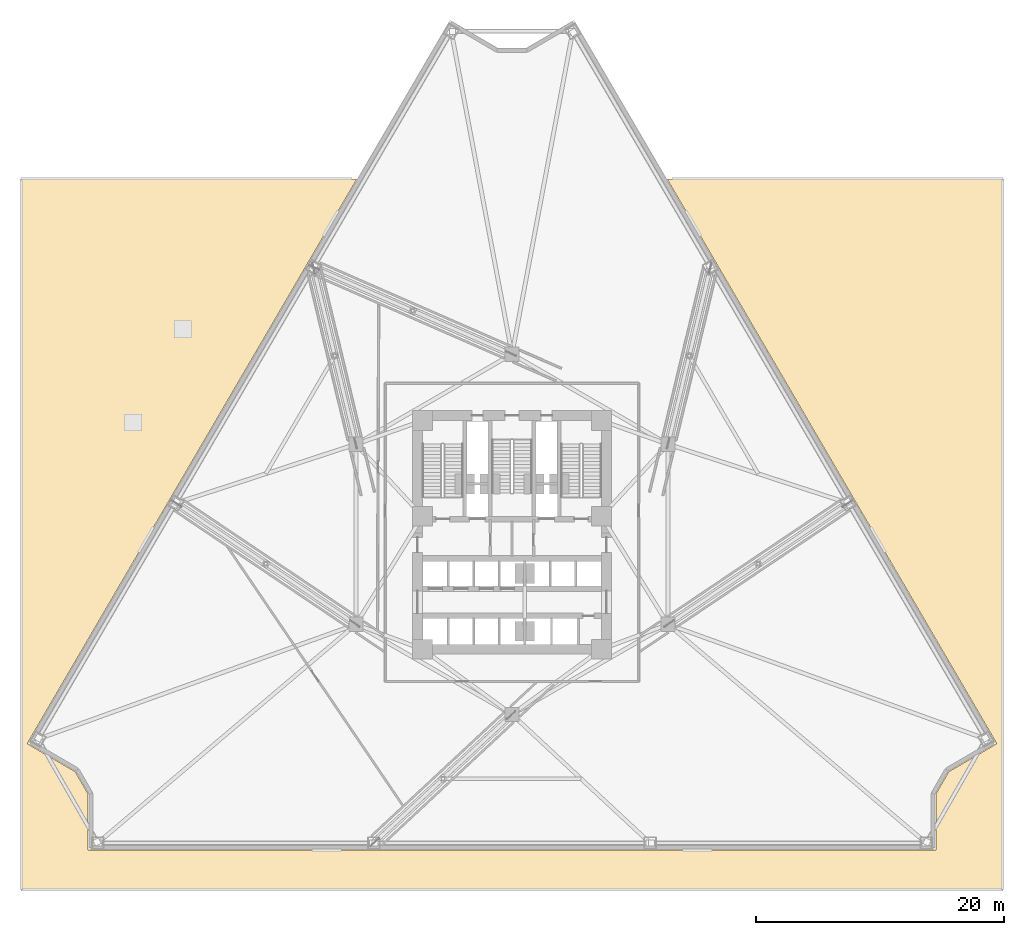
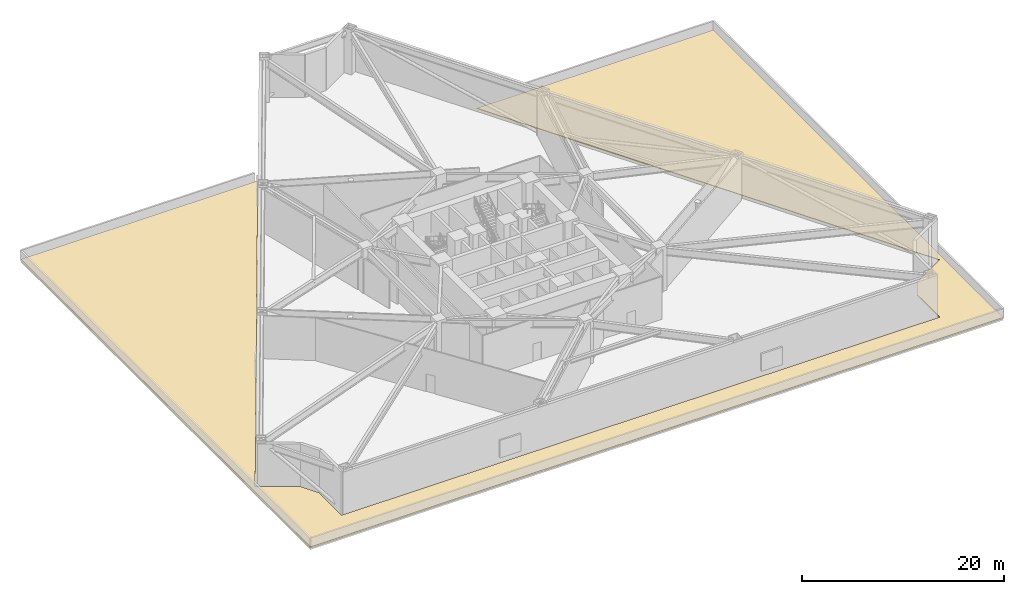
# One storey, part 21 of 23: 1 covering.
"""IFC4 building model written with IfcOpenShell, lengths in metres."""

from ifc_helpers import new_model, si_unit, direction, frame, origin, place, context, subcontext, project, spatial, polyline, outline, extrude, material, layer, layer_set, type_object, element, save


model = new_model("IFC4")

# Units and contexts
model_context = context("Model", 3, precision=1e-05, world=origin(), true_north=direction((0.0, 1.0)))
body_context = subcontext(model_context, "Body", "Model", "MODEL_VIEW")
ifc_project = project(units=[si_unit("LENGTHUNIT", "METRE"), si_unit("AREAUNIT", "SQUARE_METRE"), si_unit("VOLUMEUNIT", "CUBIC_METRE"), si_unit("PLANEANGLEUNIT", "RADIAN"), si_unit("MASSUNIT", "GRAM", prefix="KILO")], contexts=[model_context])

# Site, building, storey
site_placement = place(None, origin())
site = spatial("IfcSite", under=ifc_project, at=site_placement, CompositionType="ELEMENT")
building_placement = place(site_placement, origin())
building = spatial("IfcBuilding", under=site, at=building_placement, Name="Apsidion Concourse Tower", CompositionType="ELEMENT")
storey_placement = place(building_placement, frame((0.0, 0.0, 29.0)))
storey = spatial("IfcBuildingStorey", under=building, at=storey_placement, Name="L05", CompositionType="ELEMENT", Elevation=29.0)

# Covering
ifc_material = material(Name="Single-ply EPDM roofing membrane")
ifc_layer = layer(ifc_material, 0.1201171875)
ifc_layer_set = layer_set([ifc_layer], Name="Single-ply EPDM roofing membrane")
covering_type = type_object("IfcCoveringType", Name="COV-ROOF-120", PredefinedType="ROOFING", material=ifc_layer_set)
covering_placement = place(storey_placement, origin())
element("IfcCovering", 1, at=covering_placement, inside=storey, type_object=covering_type, Name="L05 Podium Terrace Waterproofing Membrane", PredefinedType="ROOFING", context=body_context, shape_type="SweptSolid", body=[
    extrude(outline(polyline([(39.5, 28.60009765625), (39.5, -28.60009765625), (-39.5, -28.60009765625), (-39.5, 28.60009765625), (-12.488525390625, 28.60009765625), (-39.0166015625, -16.835205078125), (-39.017578125, -16.837158203125), (-39.018310546875, -16.8388671875), (-39.018798828125, -16.8408203125), (-39.019287109375, -16.8427734375), (-39.019287109375, -16.844482421875), (-39.019287109375, -16.8466796875), (-39.01904296875, -16.8486328125), (-39.018798828125, -16.8505859375), (-39.018310546875, -16.852294921875), (-39.017333984375, -16.854248046875), (-39.016357421875, -16.85595703125), (-39.015380859375, -16.857421875), (-39.01416015625, -16.85888671875), (-39.0126953125, -16.8603515625), (-39.010986328125, -16.861572265625), (-39.009521484375, -16.86279296875), (-35.153564453125, -19.114013671875), (-34.108154296875, -20.934814453125), (-34.108154296875, -25.39990234375), (-34.10791015625, -25.402099609375), (-34.107666015625, -25.40380859375), (-34.107177734375, -25.40576171875), (-34.106689453125, -25.40771484375), (-34.105712890625, -25.409423828125), (-34.104736328125, -25.4111328125), (-34.103515625, -25.41259765625), (-34.102294921875, -25.4140625), (-34.100830078125, -25.41552734375), (-34.09912109375, -25.41650390625), (-34.097412109375, -25.41748046875), (-34.095703125, -25.41845703125), (-34.093994140625, -25.419189453125), (-34.092041015625, -25.419677734375), (-34.090087890625, -25.419921875), (-34.088134765625, -25.419921875), (34.088134765625, -25.419921875), (34.090087890625, -25.419921875), (34.092041015625, -25.419677734375), (34.093994140625, -25.419189453125), (34.095703125, -25.41845703125), (34.097412109375, -25.41748046875), (34.09912109375, -25.41650390625), (34.100830078125, -25.41552734375), (34.102294921875, -25.4140625), (34.103515625, -25.41259765625), (34.104736328125, -25.4111328125), (34.105712890625, -25.409423828125), (34.106689453125, -25.40771484375), (34.107177734375, -25.40576171875), (34.107666015625, -25.40380859375), (34.10791015625, -25.402099609375), (34.108154296875, -25.39990234375), (34.108154296875, -20.934814453125), (35.153564453125, -19.114013671875), (39.009521484375, -16.86279296875), (39.010986328125, -16.861572265625), (39.0126953125, -16.8603515625), (39.01416015625, -16.85888671875), (39.015380859375, -16.857421875), (39.016357421875, -16.85595703125), (39.017333984375, -16.854248046875), (39.018310546875, -16.852294921875), (39.018798828125, -16.8505859375), (39.01904296875, -16.8486328125), (39.019287109375, -16.8466796875), (39.019287109375, -16.844482421875), (39.019287109375, -16.8427734375), (39.018798828125, -16.8408203125), (39.018310546875, -16.8388671875), (39.017578125, -16.837158203125), (39.0166015625, -16.835205078125), (12.488525390625, 28.60009765625), (39.5, 28.60009765625)])), origin(), (0.0, 0.0, 1.0), 0.080078125),
])

save(model, "model.ifc")
